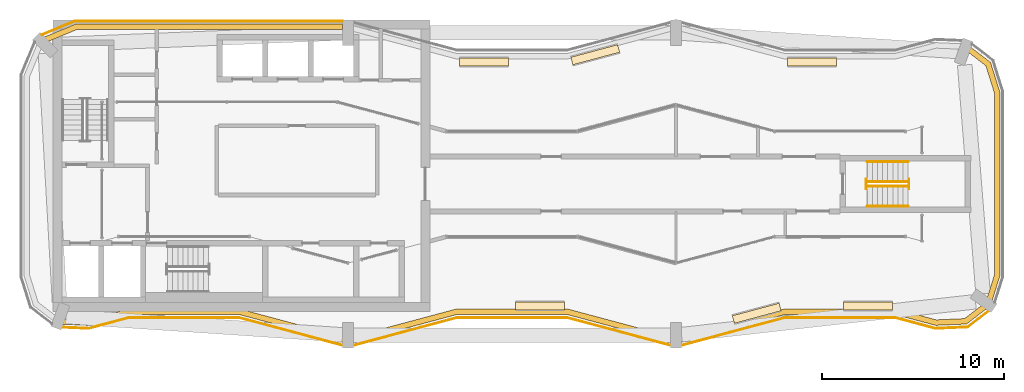
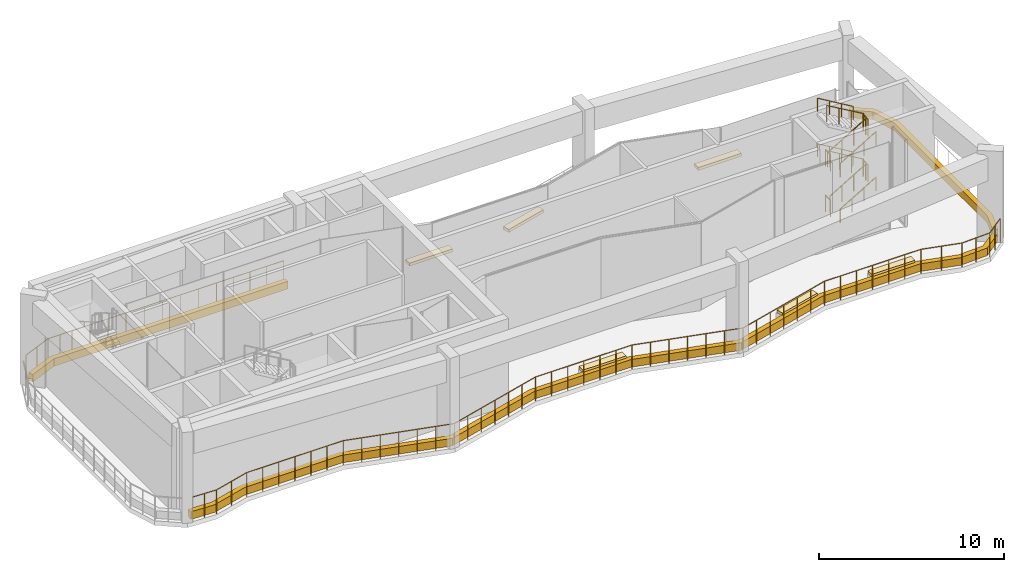
# One storey, part 11 of 12: 14 railings, 9 coverings.
"""IFC4 building model written with IfcOpenShell, lengths in metres."""

from ifc_helpers import new_model, si_unit, direction, frame, origin, origin_2d, place, context, subcontext, project, spatial, polyline, circle, outline, extrude, material, layer, layer_set, type_object, element, save


model = new_model("IFC4")

# Units and contexts
model_context = context("Model", 3, precision=1e-05, world=origin(), true_north=direction((0.0, 1.0)))
body_context = subcontext(model_context, "Body", "Model", "MODEL_VIEW")
ifc_project = project(units=[si_unit("LENGTHUNIT", "METRE"), si_unit("AREAUNIT", "SQUARE_METRE"), si_unit("VOLUMEUNIT", "CUBIC_METRE"), si_unit("PLANEANGLEUNIT", "RADIAN"), si_unit("MASSUNIT", "GRAM", prefix="KILO")], contexts=[model_context])

# Site, building, storey
site_placement = place(None, origin())
site = spatial("IfcSite", under=ifc_project, at=site_placement, CompositionType="ELEMENT")
building_placement = place(site_placement, origin())
building = spatial("IfcBuilding", under=site, at=building_placement, Name="Plateau Cross Towers", CompositionType="ELEMENT")
storey_placement = place(building_placement, frame((0.0, 0.0, 236.39990234375)))
storey = spatial("IfcBuildingStorey", under=building, at=storey_placement, Name="L62", CompositionType="ELEMENT", Elevation=236.39990234375)

# Railings
ifc_material_1 = material(Name="Stainless steel and toughened glass", Category="steel")
railing_type_1 = type_object("IfcRailingType", Name="Glass balustrade guard 1600", PredefinedType="GUARDRAIL", material=ifc_material_1)
railing_1_placement = place(storey_placement, frame((17.692138671875, 17.93994140625, 0.0)))
element("IfcRailing", 1, at=railing_1_placement, inside=storey, type_object=railing_type_1, Name="Guard A180_180", PredefinedType="GUARDRAIL", context=body_context, shape_type="SweptSolid", body=[
    extrude(circle(Radius=0.02392578125, at=origin_2d()), frame((0.0, 0.0, 1.576171875), z_axis=(-1.0, 0.0, 0.0), x_axis=(0.0, -1.0, 0.0)), (0.0, 0.0, 1.0), 14.68017578125),
    extrude(circle(Radius=0.02392578125, at=origin_2d()), frame((-14.68017578125, 0.0, 1.576171875), z_axis=(-0.923896868957, -0.382641575801, 0.0), x_axis=(0.382641575801, -0.923896868957, 0.0)), (0.0, 0.0, 1.0), 1.95947265625),
    extrude(circle(Radius=0.02099609375, at=origin_2d()), origin(), (0.0, 0.0, 1.0), 1.552001953125),
    extrude(circle(Radius=0.02099609375, at=origin_2d()), frame((-1.048095703125, 0.0, 0.0)), (0.0, 0.0, 1.0), 1.552001953125),
    extrude(circle(Radius=0.02099609375, at=origin_2d()), frame((-2.09619140625, 0.0, 0.0)), (0.0, 0.0, 1.0), 1.552001953125),
    extrude(circle(Radius=0.02099609375, at=origin_2d()), frame((-3.14404296875, 0.0, 0.0)), (0.0, 0.0, 1.0), 1.552001953125),
    extrude(circle(Radius=0.02099609375, at=origin_2d()), frame((-4.192138671875, 0.0, 0.0)), (0.0, 0.0, 1.0), 1.552001953125),
    extrude(circle(Radius=0.02099609375, at=origin_2d()), frame((-5.317138671875, 0.0, 0.0)), (0.0, 0.0, 1.0), 1.552001953125),
    extrude(circle(Radius=0.02099609375, at=origin_2d()), frame((-6.442138671875, 0.0, 0.0)), (0.0, 0.0, 1.0), 1.552001953125),
    extrude(circle(Radius=0.02099609375, at=origin_2d()), frame((-7.567138671875, 0.0, 0.0)), (0.0, 0.0, 1.0), 1.552001953125),
    extrude(circle(Radius=0.02099609375, at=origin_2d()), frame((-8.692138671875, 0.0, 0.0)), (0.0, 0.0, 1.0), 1.552001953125),
    extrude(circle(Radius=0.02099609375, at=origin_2d()), frame((-9.817138671875, 0.0, 0.0)), (0.0, 0.0, 1.0), 1.552001953125),
    extrude(circle(Radius=0.02099609375, at=origin_2d()), frame((-10.942138671875, 0.0, 0.0)), (0.0, 0.0, 1.0), 1.552001953125),
    extrude(circle(Radius=0.02099609375, at=origin_2d()), frame((-12.067138671875, 0.0, 0.0)), (0.0, 0.0, 1.0), 1.552001953125),
    extrude(circle(Radius=0.02099609375, at=origin_2d()), frame((-13.192138671875, 0.0, 0.0)), (0.0, 0.0, 1.0), 1.552001953125),
    extrude(circle(Radius=0.02099609375, at=origin_2d()), frame((-13.93603515625, 0.0, 0.0)), (0.0, 0.0, 1.0), 1.552001953125),
    extrude(circle(Radius=0.02099609375, at=origin_2d()), frame((-14.68017578125, 0.0, 0.0)), (0.0, 0.0, 1.0), 1.552001953125),
    extrude(circle(Radius=0.02099609375, at=origin_2d()), frame((-15.58544921875, -0.375, 0.0)), (0.0, 0.0, 1.0), 1.552001953125),
    extrude(circle(Radius=0.02099609375, at=origin_2d()), frame((-16.490478515625, -0.749755859375, 0.0)), (0.0, 0.0, 1.0), 1.552001953125),
])
railing_2_placement = place(storey_placement, frame((2.294921875, 1.13623046875, 0.0)))
element("IfcRailing", 2, at=railing_2_placement, inside=storey, type_object=railing_type_1, Name="Guard A20_11", PredefinedType="GUARDRAIL", context=body_context, shape_type="SweptSolid", body=[
    extrude(circle(Radius=0.02392578125, at=origin_2d()), frame((0.0, 0.0, 1.576171875), z_axis=(0.999038915809, -0.043832005412, 0.0), x_axis=(0.043832005412, 0.999038915809, 0.0)), (0.0, 0.0, 1.0), 1.47607421875),
    extrude(circle(Radius=0.02392578125, at=origin_2d()), frame((1.474609375, -0.064697265625, 1.576171875), z_axis=(0.96593668607, 0.258778512448, 0.0), x_axis=(-0.258778512448, 0.96593668607, 0.0)), (0.0, 0.0, 1.0), 2.301025390625),
    extrude(circle(Radius=0.02392578125, at=origin_2d()), frame((3.697265625, 0.53076171875, 1.576171875), z_axis=(1.0, 0.0, 0.0), x_axis=(0.0, 1.0, 0.0)), (0.0, 0.0, 1.0), 6.015625),
    extrude(circle(Radius=0.02392578125, at=origin_2d()), frame((9.712890625, 0.53076171875, 1.576171875), z_axis=(0.965950861745, -0.258725593428, 0.0), x_axis=(0.258725593428, 0.965950861745, 0.0)), (0.0, 0.0, 1.0), 6.203369140625),
    extrude(circle(Radius=0.02392578125, at=origin_2d()), frame((15.705078125, -1.07421875, 1.576171875), z_axis=(0.965950861745, 0.258725593428, 0.0), x_axis=(-0.258725593428, 0.965950861745, 0.0)), (0.0, 0.0, 1.0), 6.203369140625),
    extrude(circle(Radius=0.02392578125, at=origin_2d()), frame((21.697265625, 0.53076171875, 1.576171875), z_axis=(1.0, 0.0, 0.0), x_axis=(0.0, 1.0, 0.0)), (0.0, 0.0, 1.0), 6.015625),
    extrude(circle(Radius=0.02392578125, at=origin_2d()), frame((27.712890625, 0.53076171875, 1.576171875), z_axis=(0.965950861745, -0.258725593428, 0.0), x_axis=(0.258725593428, 0.965950861745, 0.0)), (0.0, 0.0, 1.0), 6.203369140625),
    extrude(circle(Radius=0.02392578125, at=origin_2d()), frame((33.705078125, -1.07421875, 1.576171875), z_axis=(0.965950861745, 0.258725593428, 0.0), x_axis=(-0.258725593428, 0.965950861745, 0.0)), (0.0, 0.0, 1.0), 6.203369140625),
    extrude(circle(Radius=0.02392578125, at=origin_2d()), frame((39.697265625, 0.53076171875, 1.576171875), z_axis=(1.0, 0.0, 0.0), x_axis=(0.0, 1.0, 0.0)), (0.0, 0.0, 1.0), 6.015625),
    extrude(circle(Radius=0.02392578125, at=origin_2d()), frame((45.712890625, 0.53076171875, 1.576171875), z_axis=(0.96593668607, -0.258778512448, 0.0), x_axis=(0.258778512448, 0.96593668607, 0.0)), (0.0, 0.0, 1.0), 2.301025390625),
    extrude(circle(Radius=0.02392578125, at=origin_2d()), frame((47.935546875, -0.064697265625, 1.576171875), z_axis=(0.999038178213, 0.043848813821, 0.0), x_axis=(-0.043848813821, 0.999038178213, 0.0)), (0.0, 0.0, 1.0), 1.776123046875),
    extrude(circle(Radius=0.02392578125, at=origin_2d()), frame((49.7099609375, 0.01318359375, 1.576171875), z_axis=(0.793316807674, 0.608809036284, 0.0), x_axis=(-0.608809036284, 0.793316807674, 0.0)), (0.0, 0.0, 1.0), 1.466064453125),
    extrude(circle(Radius=0.02099609375, at=origin_2d()), origin(), (0.0, 0.0, 1.0), 1.552001953125),
    extrude(circle(Radius=0.02099609375, at=origin_2d()), frame((0.7373046875, -0.0322265625, 0.0)), (0.0, 0.0, 1.0), 1.552001953125),
    extrude(circle(Radius=0.02099609375, at=origin_2d()), frame((1.474609375, -0.064697265625, 0.0)), (0.0, 0.0, 1.0), 1.552001953125),
    extrude(circle(Radius=0.02099609375, at=origin_2d()), frame((2.5859375, 0.23291015625, 0.0)), (0.0, 0.0, 1.0), 1.552001953125),
    extrude(circle(Radius=0.02099609375, at=origin_2d()), frame((3.697265625, 0.53076171875, 0.0)), (0.0, 0.0, 1.0), 1.552001953125),
    extrude(circle(Radius=0.02099609375, at=origin_2d()), frame((4.699951171875, 0.53076171875, 0.0)), (0.0, 0.0, 1.0), 1.552001953125),
    extrude(circle(Radius=0.02099609375, at=origin_2d()), frame((5.702392578125, 0.53076171875, 0.0)), (0.0, 0.0, 1.0), 1.552001953125),
    extrude(circle(Radius=0.02099609375, at=origin_2d()), frame((6.705078125, 0.53076171875, 0.0)), (0.0, 0.0, 1.0), 1.552001953125),
    extrude(circle(Radius=0.02099609375, at=origin_2d()), frame((7.707763671875, 0.53076171875, 0.0)), (0.0, 0.0, 1.0), 1.552001953125),
    extrude(circle(Radius=0.02099609375, at=origin_2d()), frame((8.710205078125, 0.53076171875, 0.0)), (0.0, 0.0, 1.0), 1.552001953125),
    extrude(circle(Radius=0.02099609375, at=origin_2d()), frame((9.712890625, 0.53076171875, 0.0)), (0.0, 0.0, 1.0), 1.552001953125),
    extrude(circle(Radius=0.02099609375, at=origin_2d()), frame((10.711669921875, 0.26318359375, 0.0)), (0.0, 0.0, 1.0), 1.552001953125),
    extrude(circle(Radius=0.02099609375, at=origin_2d()), frame((11.710205078125, -0.004150390625, 0.0)), (0.0, 0.0, 1.0), 1.552001953125),
    extrude(circle(Radius=0.02099609375, at=origin_2d()), frame((12.708984375, -0.271728515625, 0.0)), (0.0, 0.0, 1.0), 1.552001953125),
    extrude(circle(Radius=0.02099609375, at=origin_2d()), frame((13.707763671875, -0.539306640625, 0.0)), (0.0, 0.0, 1.0), 1.552001953125),
    extrude(circle(Radius=0.02099609375, at=origin_2d()), frame((14.706298828125, -0.806640625, 0.0)), (0.0, 0.0, 1.0), 1.552001953125),
    extrude(circle(Radius=0.02099609375, at=origin_2d()), frame((15.705078125, -1.07421875, 0.0)), (0.0, 0.0, 1.0), 1.552001953125),
    extrude(circle(Radius=0.02099609375, at=origin_2d()), frame((16.703857421875, -0.806640625, 0.0)), (0.0, 0.0, 1.0), 1.552001953125),
    extrude(circle(Radius=0.02099609375, at=origin_2d()), frame((17.702392578125, -0.539306640625, 0.0)), (0.0, 0.0, 1.0), 1.552001953125),
    extrude(circle(Radius=0.02099609375, at=origin_2d()), frame((18.701171875, -0.271728515625, 0.0)), (0.0, 0.0, 1.0), 1.552001953125),
    extrude(circle(Radius=0.02099609375, at=origin_2d()), frame((19.699951171875, -0.004150390625, 0.0)), (0.0, 0.0, 1.0), 1.552001953125),
    extrude(circle(Radius=0.02099609375, at=origin_2d()), frame((20.698486328125, 0.26318359375, 0.0)), (0.0, 0.0, 1.0), 1.552001953125),
    extrude(circle(Radius=0.02099609375, at=origin_2d()), frame((21.697265625, 0.53076171875, 0.0)), (0.0, 0.0, 1.0), 1.552001953125),
    extrude(circle(Radius=0.02099609375, at=origin_2d()), frame((22.699951171875, 0.53076171875, 0.0)), (0.0, 0.0, 1.0), 1.552001953125),
    extrude(circle(Radius=0.02099609375, at=origin_2d()), frame((23.702392578125, 0.53076171875, 0.0)), (0.0, 0.0, 1.0), 1.552001953125),
    extrude(circle(Radius=0.02099609375, at=origin_2d()), frame((24.705078125, 0.53076171875, 0.0)), (0.0, 0.0, 1.0), 1.552001953125),
    extrude(circle(Radius=0.02099609375, at=origin_2d()), frame((25.707763671875, 0.53076171875, 0.0)), (0.0, 0.0, 1.0), 1.552001953125),
    extrude(circle(Radius=0.02099609375, at=origin_2d()), frame((26.710205078125, 0.53076171875, 0.0)), (0.0, 0.0, 1.0), 1.552001953125),
    extrude(circle(Radius=0.02099609375, at=origin_2d()), frame((27.712890625, 0.53076171875, 0.0)), (0.0, 0.0, 1.0), 1.552001953125),
    extrude(circle(Radius=0.02099609375, at=origin_2d()), frame((28.711669921875, 0.26318359375, 0.0)), (0.0, 0.0, 1.0), 1.552001953125),
    extrude(circle(Radius=0.02099609375, at=origin_2d()), frame((29.710205078125, -0.004150390625, 0.0)), (0.0, 0.0, 1.0), 1.552001953125),
    extrude(circle(Radius=0.02099609375, at=origin_2d()), frame((30.708984375, -0.271728515625, 0.0)), (0.0, 0.0, 1.0), 1.552001953125),
    extrude(circle(Radius=0.02099609375, at=origin_2d()), frame((31.707763671875, -0.539306640625, 0.0)), (0.0, 0.0, 1.0), 1.552001953125),
    extrude(circle(Radius=0.02099609375, at=origin_2d()), frame((32.706298828125, -0.806640625, 0.0)), (0.0, 0.0, 1.0), 1.552001953125),
    extrude(circle(Radius=0.02099609375, at=origin_2d()), frame((33.705078125, -1.07421875, 0.0)), (0.0, 0.0, 1.0), 1.552001953125),
    extrude(circle(Radius=0.02099609375, at=origin_2d()), frame((34.703857421875, -0.806640625, 0.0)), (0.0, 0.0, 1.0), 1.552001953125),
    extrude(circle(Radius=0.02099609375, at=origin_2d()), frame((35.702392578125, -0.539306640625, 0.0)), (0.0, 0.0, 1.0), 1.552001953125),
    extrude(circle(Radius=0.02099609375, at=origin_2d()), frame((36.701171875, -0.271728515625, 0.0)), (0.0, 0.0, 1.0), 1.552001953125),
    extrude(circle(Radius=0.02099609375, at=origin_2d()), frame((37.699951171875, -0.004150390625, 0.0)), (0.0, 0.0, 1.0), 1.552001953125),
    extrude(circle(Radius=0.02099609375, at=origin_2d()), frame((38.698486328125, 0.26318359375, 0.0)), (0.0, 0.0, 1.0), 1.552001953125),
    extrude(circle(Radius=0.02099609375, at=origin_2d()), frame((39.697265625, 0.53076171875, 0.0)), (0.0, 0.0, 1.0), 1.552001953125),
    extrude(circle(Radius=0.02099609375, at=origin_2d()), frame((40.699951171875, 0.53076171875, 0.0)), (0.0, 0.0, 1.0), 1.552001953125),
    extrude(circle(Radius=0.02099609375, at=origin_2d()), frame((41.702392578125, 0.53076171875, 0.0)), (0.0, 0.0, 1.0), 1.552001953125),
    extrude(circle(Radius=0.02099609375, at=origin_2d()), frame((42.705078125, 0.53076171875, 0.0)), (0.0, 0.0, 1.0), 1.552001953125),
    extrude(circle(Radius=0.02099609375, at=origin_2d()), frame((43.707763671875, 0.53076171875, 0.0)), (0.0, 0.0, 1.0), 1.552001953125),
    extrude(circle(Radius=0.02099609375, at=origin_2d()), frame((44.710205078125, 0.53076171875, 0.0)), (0.0, 0.0, 1.0), 1.552001953125),
    extrude(circle(Radius=0.02099609375, at=origin_2d()), frame((45.712890625, 0.53076171875, 0.0)), (0.0, 0.0, 1.0), 1.552001953125),
    extrude(circle(Radius=0.02099609375, at=origin_2d()), frame((46.82421875, 0.23291015625, 0.0)), (0.0, 0.0, 1.0), 1.552001953125),
    extrude(circle(Radius=0.02099609375, at=origin_2d()), frame((47.935546875, -0.064697265625, 0.0)), (0.0, 0.0, 1.0), 1.552001953125),
    extrude(circle(Radius=0.02099609375, at=origin_2d()), frame((48.82275390625, -0.02587890625, 0.0)), (0.0, 0.0, 1.0), 1.552001953125),
    extrude(circle(Radius=0.02099609375, at=origin_2d()), frame((49.7099609375, 0.01318359375, 0.0)), (0.0, 0.0, 1.0), 1.552001953125),
    extrude(circle(Radius=0.02099609375, at=origin_2d()), frame((50.29150390625, 0.45947265625, 0.0)), (0.0, 0.0, 1.0), 1.552001953125),
    extrude(circle(Radius=0.02099609375, at=origin_2d()), frame((50.873046875, 0.90576171875, 0.0)), (0.0, 0.0, 1.0), 1.552001953125),
])

# Coverings
ifc_material_2 = material(Name="Planting substrate and ground cover")
ifc_layer = layer(ifc_material_2, 0.199951171875)
ifc_layer_set = layer_set([ifc_layer], Name="Planting substrate and ground cover")
covering_type_1 = type_object("IfcCoveringType", Name="Planting bed 200", PredefinedType="FLOORING", material=ifc_layer_set)
covering_1_placement = place(storey_placement, frame((0.0, 0.0, 0.4501953125)))
element("IfcCovering", 3, at=covering_1_placement, inside=storey, type_object=covering_type_1, Name="Planting bed 1", PredefinedType="FLOORING", context=body_context, shape_type="SweptSolid", body=[
    extrude(outline(polyline([(26.800048828125, 15.9130859375), (26.800048828125, 15.483154296875), (24.108642578125, 15.483154296875), (24.108642578125, 15.9130859375), (26.800048828125, 15.9130859375)])), origin(), (0.0, 0.0, 1.0), 0.199951171875),
])
covering_2_placement = place(storey_placement, frame((0.0, 0.0, 0.4501953125)))
element("IfcCovering", 4, at=covering_2_placement, inside=storey, type_object=covering_type_1, Name="Planting bed 2", PredefinedType="FLOORING", context=body_context, shape_type="SweptSolid", body=[
    extrude(outline(polyline([(32.796875, 16.645263671875), (32.908203125, 16.22998046875), (30.34033203125, 15.542236328125), (30.22900390625, 15.95751953125), (32.796875, 16.645263671875)])), origin(), (0.0, 0.0, 1.0), 0.199951171875),
])
covering_3_placement = place(storey_placement, frame((0.0, 0.0, 0.4501953125)))
element("IfcCovering", 5, at=covering_3_placement, inside=storey, type_object=covering_type_1, Name="Planting bed 3", PredefinedType="FLOORING", context=body_context, shape_type="SweptSolid", body=[
    extrude(outline(polyline([(44.800048828125, 15.9130859375), (44.800048828125, 15.483154296875), (42.108642578125, 15.483154296875), (42.108642578125, 15.9130859375), (44.800048828125, 15.9130859375)])), origin(), (0.0, 0.0, 1.0), 0.199951171875),
])
covering_4_placement = place(storey_placement, frame((0.0, 0.0, 0.4501953125)))
element("IfcCovering", 6, at=covering_4_placement, inside=storey, type_object=covering_type_1, Name="Planting bed 4", PredefinedType="FLOORING", context=body_context, shape_type="SweptSolid", body=[
    extrude(outline(polyline([(45.199951171875, 2.0869140625), (45.199951171875, 2.516845703125), (47.891357421875, 2.516845703125), (47.891357421875, 2.0869140625), (45.199951171875, 2.0869140625)])), origin(), (0.0, 0.0, 1.0), 0.199951171875),
])
covering_5_placement = place(storey_placement, frame((0.0, 0.0, 0.4501953125)))
element("IfcCovering", 7, at=covering_5_placement, inside=storey, type_object=covering_type_1, Name="Planting bed 5", PredefinedType="FLOORING", context=body_context, shape_type="SweptSolid", body=[
    extrude(outline(polyline([(39.203125, 1.354736328125), (39.091796875, 1.77001953125), (41.65966796875, 2.457763671875), (41.77099609375, 2.04248046875), (39.203125, 1.354736328125)])), origin(), (0.0, 0.0, 1.0), 0.199951171875),
])
covering_6_placement = place(storey_placement, frame((0.0, 0.0, 0.4501953125)))
element("IfcCovering", 8, at=covering_6_placement, inside=storey, type_object=covering_type_1, Name="Planting bed 6", PredefinedType="FLOORING", context=body_context, shape_type="SweptSolid", body=[
    extrude(outline(polyline([(27.199951171875, 2.0869140625), (27.199951171875, 2.516845703125), (29.891357421875, 2.516845703125), (29.891357421875, 2.0869140625), (27.199951171875, 2.0869140625)])), origin(), (0.0, 0.0, 1.0), 0.199951171875),
])

# Railings
railing_type_2 = type_object("IfcRailingType", Name="RL-GUARD-1100", PredefinedType="GUARDRAIL", material=ifc_material_1)
railing_3_placement = place(storey_placement, frame((46.5, 8.875, 0.166748046875)))
element("IfcRailing", 9, at=railing_3_placement, inside=storey, type_object=railing_type_2, Name="L62 ES-E stair guard 1", PredefinedType="GUARDRAIL", context=body_context, shape_type="SweptSolid", body=[
    extrude(circle(Radius=0.02392578125, at=origin_2d()), frame((0.0, 0.0, 1.076171875), z_axis=(0.859305625298, 0.0, 0.511462454469), x_axis=(0.0, 1.0, 0.0)), (0.0, 0.0, 1.0), 2.606689453125),
    extrude(circle(Radius=0.02099609375, at=origin_2d()), origin(), (0.0, 0.0, 1.0), 1.052001953125),
    extrude(circle(Radius=0.02099609375, at=origin_2d()), frame((0.74658203125, 0.0, 0.4443359375)), (0.0, 0.0, 1.0), 1.052001953125),
    extrude(circle(Radius=0.02099609375, at=origin_2d()), frame((1.493408203125, 0.0, 0.888916015625)), (0.0, 0.0, 1.0), 1.052001953125),
    extrude(circle(Radius=0.02099609375, at=origin_2d()), frame((2.239990234375, 0.0, 1.333251953125)), (0.0, 0.0, 1.0), 1.052001953125),
])
railing_4_placement = place(storey_placement, frame((48.7900390625, 8.72509765625, 1.5)))
element("IfcRailing", 10, at=railing_4_placement, inside=storey, type_object=railing_type_2, Name="L62 ES-E stair guard 2", PredefinedType="GUARDRAIL", context=body_context, shape_type="SweptSolid", body=[
    extrude(circle(Radius=0.02392578125, at=origin_2d()), frame((0.0, 0.0, 1.076171875), z_axis=(0.0, 1.0, 0.0), x_axis=(-1.0, 0.0, 0.0)), (0.0, 0.0, 1.0), 0.5498046875),
    extrude(circle(Radius=0.02099609375, at=origin_2d()), origin(), (0.0, 0.0, 1.0), 1.052001953125),
    extrude(circle(Radius=0.02099609375, at=origin_2d()), frame((0.0, 0.5498046875, 0.0)), (0.0, 0.0, 1.0), 1.052001953125),
])
railing_5_placement = place(storey_placement, frame((48.739990234375, 9.125, 1.666748046875)))
element("IfcRailing", 11, at=railing_5_placement, inside=storey, type_object=railing_type_2, Name="L62 ES-E stair guard 3", PredefinedType="GUARDRAIL", context=body_context, shape_type="SweptSolid", body=[
    extrude(circle(Radius=0.02392578125, at=origin_2d()), frame((0.0, 0.0, 1.076171875), z_axis=(-0.859305625298, 0.0, 0.511462454469), x_axis=(0.0, -1.0, 0.0)), (0.0, 0.0, 1.0), 2.606689453125),
    extrude(circle(Radius=0.02099609375, at=origin_2d()), origin(), (0.0, 0.0, 1.0), 1.052001953125),
    extrude(circle(Radius=0.02099609375, at=origin_2d()), frame((-0.74658203125, 0.0, 0.4443359375)), (0.0, 0.0, 1.0), 1.052001953125),
    extrude(circle(Radius=0.02099609375, at=origin_2d()), frame((-1.493408203125, 0.0, 0.888916015625)), (0.0, 0.0, 1.0), 1.052001953125),
    extrude(circle(Radius=0.02099609375, at=origin_2d()), frame((-2.239990234375, 0.0, 1.333251953125)), (0.0, 0.0, 1.0), 1.052001953125),
])
railing_6_placement = place(storey_placement, frame((46.449951171875, 8.72509765625, 3.0)))
element("IfcRailing", 12, at=railing_6_placement, inside=storey, type_object=railing_type_2, Name="L62 ES-E stair guard 4", PredefinedType="GUARDRAIL", context=body_context, shape_type="SweptSolid", body=[
    extrude(circle(Radius=0.02392578125, at=origin_2d()), frame((0.0, 0.0, 1.076171875), z_axis=(0.0, 1.0, 0.0), x_axis=(-1.0, 0.0, 0.0)), (0.0, 0.0, 1.0), 0.5498046875),
    extrude(circle(Radius=0.02099609375, at=origin_2d()), origin(), (0.0, 0.0, 1.0), 1.052001953125),
    extrude(circle(Radius=0.02099609375, at=origin_2d()), frame((0.0, 0.5498046875, 0.0)), (0.0, 0.0, 1.0), 1.052001953125),
])
railing_7_placement = place(storey_placement, frame((46.5, 8.875, 3.166748046875)))
element("IfcRailing", 13, at=railing_7_placement, inside=storey, type_object=railing_type_2, Name="L62 ES-E stair guard 5", PredefinedType="GUARDRAIL", context=body_context, shape_type="SweptSolid", body=[
    extrude(circle(Radius=0.02392578125, at=origin_2d()), frame((0.0, 0.0, 1.076171875), z_axis=(0.859305625298, 0.0, 0.511462454469), x_axis=(0.0, 1.0, 0.0)), (0.0, 0.0, 1.0), 2.606689453125),
    extrude(circle(Radius=0.02099609375, at=origin_2d()), origin(), (0.0, 0.0, 1.0), 1.052001953125),
    extrude(circle(Radius=0.02099609375, at=origin_2d()), frame((0.74658203125, 0.0, 0.4443359375)), (0.0, 0.0, 1.0), 1.052001953125),
    extrude(circle(Radius=0.02099609375, at=origin_2d()), frame((1.493408203125, 0.0, 0.888916015625)), (0.0, 0.0, 1.0), 1.052001953125),
    extrude(circle(Radius=0.02099609375, at=origin_2d()), frame((2.239990234375, 0.0, 1.333251953125)), (0.0, 0.0, 1.0), 1.052001953125),
])
railing_8_placement = place(storey_placement, frame((48.7900390625, 8.72509765625, 4.5)))
element("IfcRailing", 14, at=railing_8_placement, inside=storey, type_object=railing_type_2, Name="L62 ES-E stair guard 6", PredefinedType="GUARDRAIL", context=body_context, shape_type="SweptSolid", body=[
    extrude(circle(Radius=0.02392578125, at=origin_2d()), frame((0.0, 0.0, 1.076171875), z_axis=(0.0, 1.0, 0.0), x_axis=(-1.0, 0.0, 0.0)), (0.0, 0.0, 1.0), 0.5498046875),
    extrude(circle(Radius=0.02099609375, at=origin_2d()), origin(), (0.0, 0.0, 1.0), 1.052001953125),
    extrude(circle(Radius=0.02099609375, at=origin_2d()), frame((0.0, 0.5498046875, 0.0)), (0.0, 0.0, 1.0), 1.052001953125),
])
railing_9_placement = place(storey_placement, frame((48.739990234375, 9.125, 4.666748046875)))
element("IfcRailing", 15, at=railing_9_placement, inside=storey, type_object=railing_type_2, Name="L62 ES-E stair guard 7", PredefinedType="GUARDRAIL", context=body_context, shape_type="SweptSolid", body=[
    extrude(circle(Radius=0.02392578125, at=origin_2d()), frame((0.0, 0.0, 1.076171875), z_axis=(-0.864206315334, 0.0, 0.503137600004), x_axis=(0.0, -1.0, 0.0)), (0.0, 0.0, 1.0), 2.64990234375),
    extrude(circle(Radius=0.02099609375, at=origin_2d()), origin(), (0.0, 0.0, 1.0), 1.052001953125),
    extrude(circle(Radius=0.02099609375, at=origin_2d()), frame((-0.763427734375, 0.0, 0.4443359375)), (0.0, 0.0, 1.0), 1.052001953125),
    extrude(circle(Radius=0.02099609375, at=origin_2d()), frame((-1.526611328125, 0.0, 0.888916015625)), (0.0, 0.0, 1.0), 1.052001953125),
    extrude(circle(Radius=0.02099609375, at=origin_2d()), frame((-2.2900390625, 0.0, 1.333251953125)), (0.0, 0.0, 1.0), 1.052001953125),
])
railing_10_placement = place(storey_placement, frame((46.449951171875, 8.72509765625, 0.0)))
element("IfcRailing", 16, at=railing_10_placement, inside=storey, type_object=railing_type_2, Name="L62 ES-E stair guard 8", PredefinedType="GUARDRAIL", context=body_context, shape_type="SweptSolid", body=[
    extrude(circle(Radius=0.02392578125, at=origin_2d()), frame((0.0, 0.0, 1.076171875), z_axis=(0.0, 1.0, 0.0), x_axis=(-1.0, 0.0, 0.0)), (0.0, 0.0, 1.0), 0.5498046875),
    extrude(circle(Radius=0.02099609375, at=origin_2d()), origin(), (0.0, 0.0, 1.0), 1.052001953125),
    extrude(circle(Radius=0.02099609375, at=origin_2d()), frame((0.0, 0.5498046875, 0.0)), (0.0, 0.0, 1.0), 1.052001953125),
])
ifc_material_3 = material(Name="Black anodised aluminium", Category="aluminium")
railing_type_3 = type_object("IfcRailingType", Name="RL-HANDRAIL-900", PredefinedType="HANDRAIL", material=ifc_material_3)
railing_11_placement = place(storey_placement, frame((46.5, 7.77490234375, 0.166748046875)))
element("IfcRailing", 17, at=railing_11_placement, inside=storey, type_object=railing_type_3, Name="L62 ES-E stair handrail 1", PredefinedType="HANDRAIL", context=body_context, shape_type="SweptSolid", body=[
    extrude(circle(Radius=0.02392578125, at=origin_2d()), frame((0.0, 0.0, 0.8759765625), z_axis=(0.859305625298, 0.0, 0.511462454469), x_axis=(0.0, 1.0, 0.0)), (0.0, 0.0, 1.0), 2.606689453125),
    extrude(circle(Radius=0.02099609375, at=origin_2d()), origin(), (0.0, 0.0, 1.0), 0.851806640625),
    extrude(circle(Radius=0.02099609375, at=origin_2d()), frame((0.74658203125, 0.0, 0.4443359375)), (0.0, 0.0, 1.0), 0.851806640625),
    extrude(circle(Radius=0.02099609375, at=origin_2d()), frame((1.493408203125, 0.0, 0.888916015625)), (0.0, 0.0, 1.0), 0.851806640625),
    extrude(circle(Radius=0.02099609375, at=origin_2d()), frame((2.239990234375, 0.0, 1.333251953125)), (0.0, 0.0, 1.0), 0.851806640625),
])
railing_12_placement = place(storey_placement, frame((48.739990234375, 10.22509765625, 1.666748046875)))
element("IfcRailing", 18, at=railing_12_placement, inside=storey, type_object=railing_type_3, Name="L62 ES-E stair handrail 2", PredefinedType="HANDRAIL", context=body_context, shape_type="SweptSolid", body=[
    extrude(circle(Radius=0.02392578125, at=origin_2d()), frame((0.0, 0.0, 0.8759765625), z_axis=(-0.859305625298, 0.0, 0.511462454469), x_axis=(0.0, -1.0, 0.0)), (0.0, 0.0, 1.0), 2.606689453125),
    extrude(circle(Radius=0.02099609375, at=origin_2d()), origin(), (0.0, 0.0, 1.0), 0.851806640625),
    extrude(circle(Radius=0.02099609375, at=origin_2d()), frame((-0.74658203125, 0.0, 0.4443359375)), (0.0, 0.0, 1.0), 0.851806640625),
    extrude(circle(Radius=0.02099609375, at=origin_2d()), frame((-1.493408203125, 0.0, 0.888916015625)), (0.0, 0.0, 1.0), 0.851806640625),
    extrude(circle(Radius=0.02099609375, at=origin_2d()), frame((-2.239990234375, 0.0, 1.333251953125)), (0.0, 0.0, 1.0), 0.851806640625),
])
railing_13_placement = place(storey_placement, frame((46.5, 7.77490234375, 3.166748046875)))
element("IfcRailing", 19, at=railing_13_placement, inside=storey, type_object=railing_type_3, Name="L62 ES-E stair handrail 3", PredefinedType="HANDRAIL", context=body_context, shape_type="SweptSolid", body=[
    extrude(circle(Radius=0.02392578125, at=origin_2d()), frame((0.0, 0.0, 0.8759765625), z_axis=(0.859305625298, 0.0, 0.511462454469), x_axis=(0.0, 1.0, 0.0)), (0.0, 0.0, 1.0), 2.606689453125),
    extrude(circle(Radius=0.02099609375, at=origin_2d()), origin(), (0.0, 0.0, 1.0), 0.851806640625),
    extrude(circle(Radius=0.02099609375, at=origin_2d()), frame((0.74658203125, 0.0, 0.4443359375)), (0.0, 0.0, 1.0), 0.851806640625),
    extrude(circle(Radius=0.02099609375, at=origin_2d()), frame((1.493408203125, 0.0, 0.888916015625)), (0.0, 0.0, 1.0), 0.851806640625),
    extrude(circle(Radius=0.02099609375, at=origin_2d()), frame((2.239990234375, 0.0, 1.333251953125)), (0.0, 0.0, 1.0), 0.851806640625),
])
railing_14_placement = place(storey_placement, frame((48.739990234375, 10.22509765625, 4.666748046875)))
element("IfcRailing", 20, at=railing_14_placement, inside=storey, type_object=railing_type_3, Name="L62 ES-E stair handrail 4", PredefinedType="HANDRAIL", context=body_context, shape_type="SweptSolid", body=[
    extrude(circle(Radius=0.02392578125, at=origin_2d()), frame((0.0, 0.0, 0.8759765625), z_axis=(-0.859305625298, 0.0, 0.511462454469), x_axis=(0.0, -1.0, 0.0)), (0.0, 0.0, 1.0), 2.606689453125),
    extrude(circle(Radius=0.02099609375, at=origin_2d()), origin(), (0.0, 0.0, 1.0), 0.851806640625),
    extrude(circle(Radius=0.02099609375, at=origin_2d()), frame((-0.74658203125, 0.0, 0.4443359375)), (0.0, 0.0, 1.0), 0.851806640625),
    extrude(circle(Radius=0.02099609375, at=origin_2d()), frame((-1.493408203125, 0.0, 0.888916015625)), (0.0, 0.0, 1.0), 0.851806640625),
    extrude(circle(Radius=0.02099609375, at=origin_2d()), frame((-2.239990234375, 0.0, 1.333251953125)), (0.0, 0.0, 1.0), 0.851806640625),
])

# Coverings
ifc_material_4 = material(Name="Light precast concrete cladding C40/50", Category="concrete")
covering_type_2 = type_object("IfcCoveringType", Name="Sill kerb cladding 300x500", PredefinedType="CLADDING", material=ifc_material_4)
covering_7_placement = place(storey_placement, origin())
element("IfcCovering", 21, at=covering_7_placement, inside=storey, type_object=covering_type_2, Name="Sill kerb 1", PredefinedType="CLADDING", context=body_context, shape_type="SweptSolid", body=[
    extrude(outline(polyline([(53.469970703125, 3.99072265625), (53.469970703125, 14.00927734375), (53.002197265625, 15.49267578125), (51.95654296875, 16.295166015625), (52.13916015625, 16.533203125), (53.260009765625, 15.673095703125), (53.77001953125, 14.055419921875), (53.77001953125, 3.944580078125), (53.333984375, 2.561767578125), (53.0478515625, 2.652099609375), (53.469970703125, 3.99072265625)])), origin(), (0.0, 0.0, 1.0), 0.5),
])
covering_8_placement = place(storey_placement, origin())
element("IfcCovering", 22, at=covering_8_placement, inside=storey, type_object=covering_type_2, Name="Sill kerb 3", PredefinedType="CLADDING", context=body_context, shape_type="SweptSolid", body=[
    extrude(outline(polyline([(3.10546875, 17.469970703125), (1.381591796875, 16.755859375), (1.266845703125, 17.033203125), (3.045654296875, 17.77001953125), (17.692138671875, 17.77001953125), (17.692138671875, 17.469970703125), (3.10546875, 17.469970703125)])), origin(), (0.0, 0.0, 1.0), 0.5),
])
covering_9_placement = place(storey_placement, origin())
element("IfcCovering", 23, at=covering_9_placement, inside=storey, type_object=covering_type_2, Name="Sill kerb 5", PredefinedType="CLADDING", context=body_context, shape_type="SweptSolid", body=[
    extrude(outline(polyline([(3.7177734375, 1.54443359375), (5.873779296875, 2.121826171875), (5.910400390625, 2.1298828125), (5.951171875, 2.13525390625), (5.98876953125, 2.136962890625), (12.01123046875, 2.136962890625), (12.048828125, 2.13525390625), (12.089599609375, 2.1298828125), (12.126220703125, 2.121826171875), (18.0, 0.548583984375), (23.873779296875, 2.121826171875), (23.910400390625, 2.1298828125), (23.951171875, 2.13525390625), (23.98876953125, 2.136962890625), (30.01123046875, 2.136962890625), (30.048828125, 2.13525390625), (30.089599609375, 2.1298828125), (30.126220703125, 2.121826171875), (36.0, 0.548583984375), (41.873779296875, 2.121826171875), (41.910400390625, 2.1298828125), (41.951171875, 2.13525390625), (41.98876953125, 2.136962890625), (48.01123046875, 2.136962890625), (48.048828125, 2.13525390625), (48.089599609375, 2.1298828125), (48.126220703125, 2.121826171875), (50.2822265625, 1.54443359375), (51.836181640625, 1.6123046875), (52.8818359375, 2.414794921875), (53.064453125, 2.1767578125), (51.94384765625, 1.31689453125), (50.249267578125, 1.24267578125), (48.054931640625, 1.830322265625), (48.037353515625, 1.834228515625), (48.022705078125, 1.836181640625), (48.004638671875, 1.8369140625), (41.995361328125, 1.8369140625), (41.977294921875, 1.836181640625), (41.962646484375, 1.834228515625), (41.945068359375, 1.830322265625), (36.0, 0.238037109375), (30.054931640625, 1.830322265625), (30.037353515625, 1.834228515625), (30.022705078125, 1.836181640625), (30.004638671875, 1.8369140625), (23.995361328125, 1.8369140625), (23.977294921875, 1.836181640625), (23.962646484375, 1.834228515625), (23.945068359375, 1.830322265625), (18.0, 0.238037109375), (12.054931640625, 1.830322265625), (12.037353515625, 1.834228515625), (12.022705078125, 1.836181640625), (12.004638671875, 1.8369140625), (5.995361328125, 1.8369140625), (5.977294921875, 1.836181640625), (5.962646484375, 1.834228515625), (5.945068359375, 1.830322265625), (3.750732421875, 1.24267578125), (2.302490234375, 1.305908203125), (2.3154296875, 1.605712890625), (3.7177734375, 1.54443359375)])), origin(), (0.0, 0.0, 1.0), 0.5),
])

save(model, "model.ifc")
